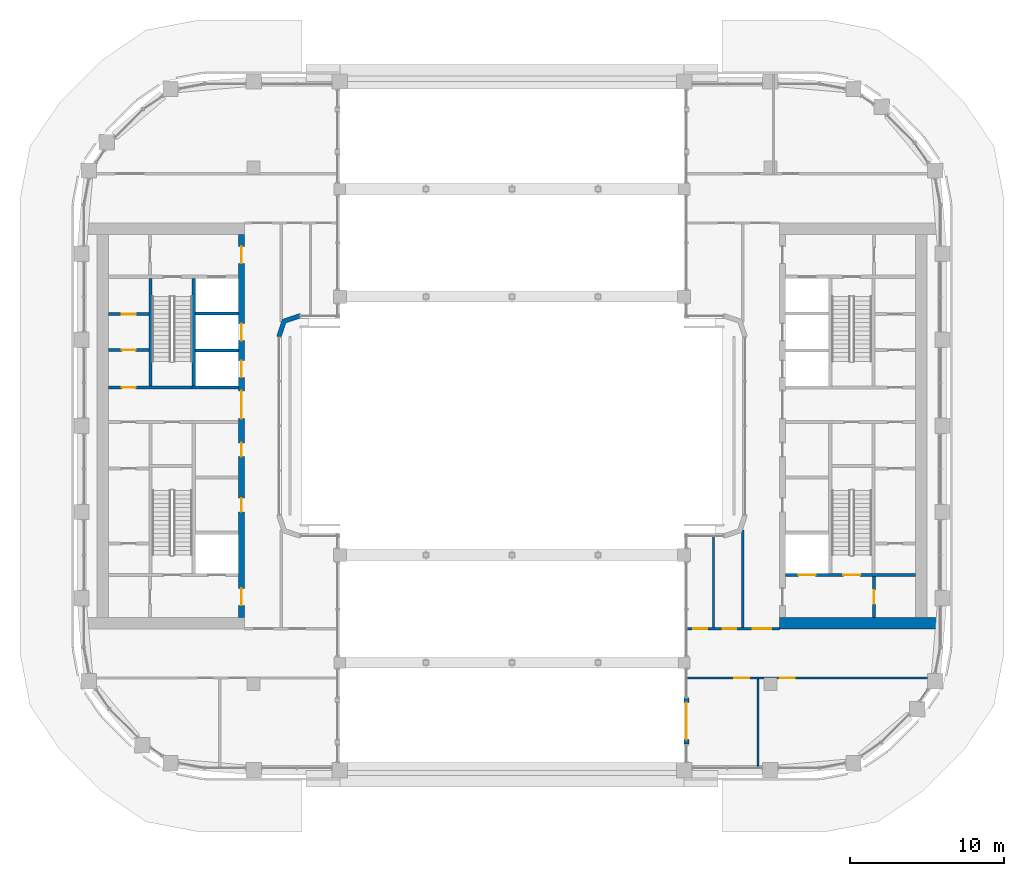
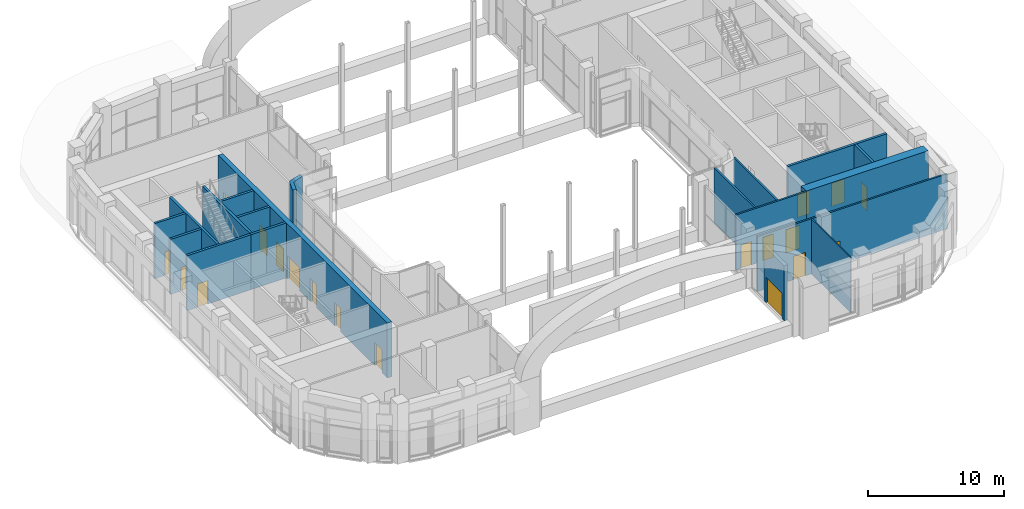
# One storey, part 16 of 28: 19 doors, 19 walls, 19 openings.
"""IFC4 building model written with IfcOpenShell, lengths in metres."""

from ifc_helpers import new_model, si_unit, direction, frame, frame_2d, origin, place, context, subcontext, project, spatial, polyline, rectangle, outline, extrude, material, layer, layer_set, type_object, element, fill, save


model = new_model("IFC4")

# Units and contexts
model_context = context("Model", 3, precision=1e-05, world=origin(), true_north=direction((0.0, 1.0)))
body_context = subcontext(model_context, "Body", "Model", "MODEL_VIEW")
ifc_project = project(units=[si_unit("LENGTHUNIT", "METRE"), si_unit("AREAUNIT", "SQUARE_METRE"), si_unit("VOLUMEUNIT", "CUBIC_METRE"), si_unit("PLANEANGLEUNIT", "RADIAN"), si_unit("MASSUNIT", "GRAM", prefix="KILO")], contexts=[model_context])

# Site, building, storey
site_placement = place(None, origin())
site = spatial("IfcSite", under=ifc_project, at=site_placement, CompositionType="ELEMENT")
building_placement = place(site_placement, origin())
building = spatial("IfcBuilding", under=site, at=building_placement, Name="Kiln Ring Residences", CompositionType="ELEMENT")
storey_placement = place(building_placement, frame((0.0, 0.0, 178.10009765625)))
storey = spatial("IfcBuildingStorey", under=building, at=storey_placement, Name="L46", CompositionType="ELEMENT", Elevation=178.10009765625)

# Wall, opening, door
ifc_material_1 = material(Name="Gypsum board on steel studs", Category="steel")
ifc_layer_1 = layer(ifc_material_1, 0.199951171875)
ifc_layer_set_1 = layer_set([ifc_layer_1], Name="CORE-PARTITION-200")
wall_type_1 = type_object("IfcWallType", Name="CORE-PARTITION-200", PredefinedType="PARTITIONING", material=ifc_layer_set_1)
wall_1_placement = place(storey_placement, frame((-23.60009765625, 4.933349609375, 0.0), z_axis=(0.0, 0.0, 1.0), x_axis=(-1.0, 0.0, 0.0)))
wall_1 = element("IfcWall", 1, at=wall_1_placement, inside=storey, type_object=wall_type_1, Name="Core partition west L46 8", PredefinedType="PARTITIONING", context=body_context, shape_type="SweptSolid", body=[
    extrude(rectangle(XDim=2.64990234375, YDim=0.199951171875, at=frame_2d((1.324951171875, 0.0))), origin(), (0.0, 0.0, 1.0), 4.949951171875),
])
opening_1_placement = place(wall_1_placement, frame((0.875, 0.0, 0.0)))
opening_1 = element("IfcOpeningElement", 2, at=opening_1_placement, cuts=wall_1, Name="Opening L46-CW18", PredefinedType="OPENING", context=body_context, shape_type="SweptSolid", body=[
    extrude(rectangle(XDim=0.89990234375, YDim=2.10009765625, at=frame_2d((0.449951171875, 1.050048828125))), frame((0.0, 0.10986328125, 0.0), z_axis=(0.0, -1.0, 0.0), x_axis=(1.0, 0.0, 0.0)), (0.0, 0.0, 1.0), 0.219970703125),
])
ifc_material_2 = material(Name="Steel door leaf", Category="steel")
door_type_1 = type_object("IfcDoorType", Name="CORE-DOOR-ROOM", OperationType="SINGLE_SWING_LEFT", PredefinedType="DOOR", material=ifc_material_2)
door_1_placement = place(opening_1_placement, origin())
door_1 = element("IfcDoor", 3, at=door_1_placement, inside=storey, type_object=door_type_1, Name="Electrical plant room L46-CW18", OperationType="SINGLE_SWING_LEFT", OverallHeight=2.10009765625, OverallWidth=0.89990234375, PredefinedType="DOOR", context=body_context, shape_type="SweptSolid", body=[
    extrude(rectangle(XDim=0.89990234375, YDim=2.10009765625, at=frame_2d((0.449951171875, 1.050048828125))), frame((0.0, 0.02490234375, 0.0), z_axis=(0.0, -1.0, 0.0), x_axis=(1.0, 0.0, 0.0)), (0.0, 0.0, 1.0), 0.050048828125),
])
fill(opening_1, door_1)

wall_2_placement = place(storey_placement, frame((-23.60009765625, 7.2666015625, 0.0), z_axis=(0.0, 0.0, 1.0), x_axis=(-1.0, 0.0, 0.0)))
wall_2 = element("IfcWall", 4, at=wall_2_placement, inside=storey, type_object=wall_type_1, Name="Core partition west L46 9", PredefinedType="PARTITIONING", context=body_context, shape_type="SweptSolid", body=[
    extrude(rectangle(XDim=2.64990234375, YDim=0.199951171875, at=frame_2d((1.324951171875, 0.0))), origin(), (0.0, 0.0, 1.0), 4.949951171875),
])
opening_2_placement = place(wall_2_placement, frame((0.875, 0.0, 0.0)))
opening_2 = element("IfcOpeningElement", 5, at=opening_2_placement, cuts=wall_2, Name="Opening L46-CW19", PredefinedType="OPENING", context=body_context, shape_type="SweptSolid", body=[
    extrude(rectangle(XDim=0.89990234375, YDim=2.10009765625, at=frame_2d((0.449951171875, 1.050048828125))), frame((0.0, 0.10986328125, 0.0), z_axis=(0.0, -1.0, 0.0), x_axis=(1.0, 0.0, 0.0)), (0.0, 0.0, 1.0), 0.219970703125),
])
door_2_placement = place(opening_2_placement, origin())
door_2 = element("IfcDoor", 6, at=door_2_placement, inside=storey, type_object=door_type_1, Name="Comms room L46-CW19", OperationType="SINGLE_SWING_RIGHT", OverallHeight=2.10009765625, OverallWidth=0.89990234375, PredefinedType="DOOR", context=body_context, shape_type="SweptSolid", body=[
    extrude(rectangle(XDim=0.89990234375, YDim=2.10009765625, at=frame_2d((0.449951171875, 1.050048828125))), frame((0.0, 0.02490234375, 0.0), z_axis=(0.0, -1.0, 0.0), x_axis=(1.0, 0.0, 0.0)), (0.0, 0.0, 1.0), 0.050048828125),
])
fill(opening_2, door_2)

wall_3_placement = place(storey_placement, frame((23.550048828125, -12.449951171875, 0.0), z_axis=(0.0, 0.0, 1.0), x_axis=(0.0, 1.0, 0.0)))
wall_3 = element("IfcWall", 7, at=wall_3_placement, inside=storey, type_object=wall_type_1, Name="Core partition east L46 5", PredefinedType="PARTITIONING", context=body_context, shape_type="SweptSolid", body=[
    extrude(rectangle(XDim=2.64990234375, YDim=0.199951171875, at=frame_2d((1.324951171875, 0.0))), origin(), (0.0, 0.0, 1.0), 4.949951171875),
])
opening_3_placement = place(wall_3_placement, frame((0.875, 0.0, 0.0)))
opening_3 = element("IfcOpeningElement", 8, at=opening_3_placement, cuts=wall_3, Name="Opening L46-CE10", PredefinedType="OPENING", context=body_context, shape_type="SweptSolid", body=[
    extrude(rectangle(XDim=0.89990234375, YDim=2.10009765625, at=frame_2d((0.449951171875, 1.050048828125))), frame((0.0, 0.10986328125, 0.0), z_axis=(0.0, -1.0, 0.0), x_axis=(1.0, 0.0, 0.0)), (0.0, 0.0, 1.0), 0.219970703125),
])
door_3_placement = place(opening_3_placement, origin())
door_3 = element("IfcDoor", 9, at=door_3_placement, inside=storey, type_object=door_type_1, Name="Store L46-CE10", OperationType="SINGLE_SWING_LEFT", OverallHeight=2.10009765625, OverallWidth=0.89990234375, PredefinedType="DOOR", context=body_context, shape_type="SweptSolid", body=[
    extrude(rectangle(XDim=0.89990234375, YDim=2.10009765625, at=frame_2d((0.449951171875, 1.050048828125))), frame((0.0, 0.02490234375, 0.0), z_axis=(0.0, -1.0, 0.0), x_axis=(1.0, 0.0, 0.0)), (0.0, 0.0, 1.0), 0.050048828125),
])
fill(opening_3, door_3)

# Walls
ifc_material_3 = material(Name="Gypsum shaft wall system")
ifc_layer_2 = layer(ifc_material_3, 0.199951171875)
ifc_layer_set_2 = layer_set([ifc_layer_2], Name="CORE-SHAFT-WALL-200")
wall_type_2 = type_object("IfcWallType", Name="CORE-SHAFT-WALL-200", PredefinedType="PARTITIONING", material=ifc_layer_set_2)
wall_4_placement = place(storey_placement, frame((-17.800048828125, 2.5, 0.0), z_axis=(0.0, 0.0, 1.0), x_axis=(-1.0, 0.0, 0.0)))
element("IfcWall", 10, at=wall_4_placement, inside=storey, type_object=wall_type_2, Name="Core partition west L46 12", PredefinedType="PARTITIONING", context=body_context, shape_type="SweptSolid", body=[
    extrude(rectangle(XDim=3.0, YDim=0.199951171875, at=frame_2d((1.5, 0.0))), origin(), (0.0, 0.0, 1.0), 4.949951171875),
])
for number, where, z_axis, x_axis, name in (
    (11, (-17.800048828125, 4.89990234375, 0.0), (0.0, 0.0, 1.0), (-1.0, 0.0, 0.0), "Core partition west L46 13"),
    (12, (-17.800048828125, 7.300048828125, 0.0), (0.0, 0.0, 1.0), (-1.0, 0.0, 0.0), "Core partition west L46 14"),
):
    element("IfcWall", number, at=place(storey_placement, frame(where, z_axis=z_axis, x_axis=x_axis)), inside=storey, type_object=wall_type_2, Name=name, PredefinedType="PARTITIONING", context=body_context, shape_type="SweptSolid", body=[
        extrude(rectangle(XDim=2.800048828125, YDim=0.199951171875, at=frame_2d((1.39990234375, 0.0))), origin(), (0.0, 0.0, 1.0), 4.949951171875),
    ])
ifc_material_4 = material(Name="Concrete C40/50", Category="concrete")
ifc_layer_3 = layer(ifc_material_4, 0.199951171875)
ifc_layer_set_3 = layer_set([ifc_layer_3], Name="CORE-WALL-RC200")
wall_type_3 = type_object("IfcWallType", Name="CORE-WALL-RC200", PredefinedType="SHEAR", material=ifc_layer_set_3)
wall_5_placement = place(storey_placement, frame((-20.699951171875, 2.60009765625, 0.0), z_axis=(0.0, 0.0, 1.0), x_axis=(0.0, 1.0, 0.0)))
element("IfcWall", 13, at=wall_5_placement, inside=storey, type_object=wall_type_3, Name="Core wall west L46 1", PredefinedType="SHEAR", context=body_context, shape_type="SweptSolid", body=[
    extrude(rectangle(XDim=7.0, YDim=0.199951171875, at=frame_2d((3.5, 0.0))), origin(), (0.0, 0.0, 1.0), 4.949951171875),
])

# Wall, opening, door
wall_6_placement = place(storey_placement, frame((-20.800048828125, 2.5, 0.0), z_axis=(0.0, 0.0, 1.0), x_axis=(-1.0, 0.0, 0.0)))
wall_6 = element("IfcWall", 14, at=wall_6_placement, inside=storey, type_object=wall_type_3, Name="Core wall west L46 3", PredefinedType="SHEAR", context=body_context, shape_type="SweptSolid", body=[
    extrude(rectangle(XDim=5.449951171875, YDim=0.199951171875, at=frame_2d((2.72509765625, 0.0))), origin(), (0.0, 0.0, 1.0), 4.949951171875),
])
opening_4_placement = place(wall_6_placement, frame((3.675048828125, 0.0, 0.0)))
opening_4 = element("IfcOpeningElement", 15, at=opening_4_placement, cuts=wall_6, Name="Opening L46-CW20", PredefinedType="OPENING", context=body_context, shape_type="SweptSolid", body=[
    extrude(rectangle(XDim=0.89990234375, YDim=2.10009765625, at=frame_2d((0.449951171875, 1.050048828125))), frame((0.0, 0.10986328125, 0.0), z_axis=(0.0, -1.0, 0.0), x_axis=(1.0, 0.0, 0.0)), (0.0, 0.0, 1.0), 0.219970703125),
])
door_4_placement = place(opening_4_placement, origin())
door_4 = element("IfcDoor", 16, at=door_4_placement, inside=storey, type_object=door_type_1, Name="UPS room L46-CW20", OperationType="SINGLE_SWING_LEFT", OverallHeight=2.10009765625, OverallWidth=0.89990234375, PredefinedType="DOOR", context=body_context, shape_type="SweptSolid", body=[
    extrude(rectangle(XDim=0.89990234375, YDim=2.10009765625, at=frame_2d((0.449951171875, 1.050048828125))), frame((0.0, 0.02490234375, 0.0), z_axis=(0.0, -1.0, 0.0), x_axis=(1.0, 0.0, 0.0)), (0.0, 0.0, 1.0), 0.050048828125),
])
fill(opening_4, door_4)

# Wall
wall_7_placement = place(storey_placement, frame((-23.5, 2.60009765625, 0.0), z_axis=(0.0, 0.0, 1.0), x_axis=(0.0, 1.0, 0.0)))
element("IfcWall", 17, at=wall_7_placement, inside=storey, type_object=wall_type_3, Name="Core wall west L46 10", PredefinedType="SHEAR", context=body_context, shape_type="SweptSolid", body=[
    extrude(rectangle(XDim=7.0, YDim=0.199951171875, at=frame_2d((3.5, 0.0))), origin(), (0.0, 0.0, 1.0), 4.949951171875),
])

# Wall, openings, doors
wall_8_placement = place(storey_placement, frame((17.800048828125, -9.699951171875, 0.0), z_axis=(0.0, 0.0, 1.0), x_axis=(1.0, 0.0, 0.0)))
wall_8 = element("IfcWall", 18, at=wall_8_placement, inside=storey, type_object=wall_type_3, Name="Core wall east L46 8", PredefinedType="SHEAR", context=body_context, shape_type="SweptSolid", body=[
    extrude(rectangle(XDim=8.449951171875, YDim=0.199951171875, at=frame_2d((4.22509765625, 0.0))), origin(), (0.0, 0.0, 1.0), 4.949951171875),
])
opening_5_placement = place(wall_8_placement, frame((0.85009765625, 0.0, 0.0)))
opening_5 = element("IfcOpeningElement", 19, at=opening_5_placement, cuts=wall_8, Name="Opening L46-CE01", PredefinedType="OPENING", context=body_context, shape_type="SweptSolid", body=[
    extrude(rectangle(XDim=1.10009765625, YDim=2.10009765625, at=frame_2d((0.550048828125, 1.050048828125))), frame((0.0, 0.10986328125, 0.0), z_axis=(0.0, -1.0, 0.0), x_axis=(1.0, 0.0, 0.0)), (0.0, 0.0, 1.0), 0.219970703125),
])
opening_6_placement = place(wall_8_placement, frame((3.75, 0.0, 0.0)))
opening_6 = element("IfcOpeningElement", 20, at=opening_6_placement, cuts=wall_8, Name="Opening L46-CE12", PredefinedType="OPENING", context=body_context, shape_type="SweptSolid", body=[
    extrude(rectangle(XDim=1.10009765625, YDim=2.10009765625, at=frame_2d((0.550048828125, 1.050048828125))), frame((0.0, 0.10986328125, 0.0), z_axis=(0.0, -1.0, 0.0), x_axis=(1.0, 0.0, 0.0)), (0.0, 0.0, 1.0), 0.219970703125),
])
ifc_material_5 = material(Name="Steel door leaf", Category="steel")
door_type_2 = type_object("IfcDoorType", Name="CORE-DOOR-LD", OperationType="DOUBLE_DOOR_SLIDING", PredefinedType="DOOR", material=ifc_material_5)
door_5_placement = place(opening_5_placement, origin())
door_5 = element("IfcDoor", 21, at=door_5_placement, inside=storey, type_object=door_type_2, Name="LD E-SV L46-CE01", OperationType="DOUBLE_DOOR_SLIDING", OverallHeight=2.10009765625, OverallWidth=1.10009765625, PredefinedType="DOOR", context=body_context, shape_type="SweptSolid", body=[
    extrude(rectangle(XDim=1.10009765625, YDim=2.10009765625, at=frame_2d((0.550048828125, 1.050048828125))), frame((0.0, 0.02490234375, 0.0), z_axis=(0.0, -1.0, 0.0), x_axis=(1.0, 0.0, 0.0)), (0.0, 0.0, 1.0), 0.050048828125),
])
fill(opening_5, door_5)
ifc_material_6 = material(Name="Steel door leaf", Category="steel")
door_type_3 = type_object("IfcDoorType", Name="CORE-DOOR-STAIR", OperationType="SINGLE_SWING_LEFT", PredefinedType="DOOR", material=ifc_material_6)
door_6_placement = place(opening_6_placement, origin())
door_6 = element("IfcDoor", 22, at=door_6_placement, inside=storey, type_object=door_type_3, Name="Stair E-STS L46-CE12", OperationType="SINGLE_SWING_RIGHT", OverallHeight=2.10009765625, OverallWidth=1.10009765625, PredefinedType="DOOR", context=body_context, shape_type="SweptSolid", body=[
    extrude(rectangle(XDim=1.10009765625, YDim=2.10009765625, at=frame_2d((0.550048828125, 1.050048828125))), frame((0.0, 0.02490234375, 0.0), z_axis=(0.0, -1.0, 0.0), x_axis=(1.0, 0.0, 0.0)), (0.0, 0.0, 1.0), 0.050048828125),
])
fill(opening_6, door_6)

ifc_material_7 = material(Name="Concrete C60/75", Category="concrete")
ifc_layer_4 = layer(ifc_material_7, 0.39990234375)
ifc_layer_set_4 = layer_set([ifc_layer_4], Name="CORE-WALL-RC400")
wall_type_4 = type_object("IfcWallType", Name="CORE-WALL-RC400", PredefinedType="SHEAR", material=ifc_layer_set_4)
wall_9_placement = place(storey_placement, frame((-17.60009765625, -12.449951171875, 0.0), z_axis=(0.0, 0.0, 1.0), x_axis=(0.0, 1.0, 0.0)))
wall_9 = element("IfcWall", 23, at=wall_9_placement, inside=storey, type_object=wall_type_4, Name="Core wall west L46 6", PredefinedType="SHEAR", context=body_context, shape_type="SweptSolid", body=[
    extrude(rectangle(XDim=24.89990234375, YDim=0.39990234375, at=frame_2d((12.449951171875, 0.0))), origin(), (0.0, 0.0, 1.0), 4.949951171875),
])
opening_7_placement = place(wall_9_placement, frame((6.85009765625, 0.0, 0.0)))
opening_7 = element("IfcOpeningElement", 24, at=opening_7_placement, cuts=wall_9, Name="Opening L46-CW02", PredefinedType="OPENING", context=body_context, shape_type="SweptSolid", body=[
    extrude(rectangle(XDim=0.89990234375, YDim=2.10009765625, at=frame_2d((0.449951171875, 1.050048828125))), frame((0.0, 0.2099609375, 0.0), z_axis=(0.0, -1.0, 0.0), x_axis=(1.0, 0.0, 0.0)), (0.0, 0.0, 1.0), 0.419921875),
])
opening_8_placement = place(wall_9_placement, frame((10.449951171875, 0.0, 0.0)))
opening_8 = element("IfcOpeningElement", 25, at=opening_8_placement, cuts=wall_9, Name="Opening L46-CW03", PredefinedType="OPENING", context=body_context, shape_type="SweptSolid", body=[
    extrude(rectangle(XDim=0.89990234375, YDim=2.10009765625, at=frame_2d((0.449951171875, 1.050048828125))), frame((0.0, 0.2099609375, 0.0), z_axis=(0.0, -1.0, 0.0), x_axis=(1.0, 0.0, 0.0)), (0.0, 0.0, 1.0), 0.419921875),
])
opening_9_placement = place(wall_9_placement, frame((15.60009765625, 0.0, 0.0)))
opening_9 = element("IfcOpeningElement", 26, at=opening_9_placement, cuts=wall_9, Name="Opening L46-CW04", PredefinedType="OPENING", context=body_context, shape_type="SweptSolid", body=[
    extrude(rectangle(XDim=1.10009765625, YDim=2.10009765625, at=frame_2d((0.550048828125, 1.050048828125))), frame((0.0, 0.2099609375, 0.0), z_axis=(0.0, -1.0, 0.0), x_axis=(1.0, 0.0, 0.0)), (0.0, 0.0, 1.0), 0.419921875),
])
opening_10_placement = place(wall_9_placement, frame((18.0, 0.0, 0.0)))
opening_10 = element("IfcOpeningElement", 27, at=opening_10_placement, cuts=wall_9, Name="Opening L46-CW05", PredefinedType="OPENING", context=body_context, shape_type="SweptSolid", body=[
    extrude(rectangle(XDim=1.10009765625, YDim=2.10009765625, at=frame_2d((0.550048828125, 1.050048828125))), frame((0.0, 0.2099609375, 0.0), z_axis=(0.0, -1.0, 0.0), x_axis=(1.0, 0.0, 0.0)), (0.0, 0.0, 1.0), 0.419921875),
])
opening_11_placement = place(wall_9_placement, frame((23.02490234375, 0.0, 0.0)))
opening_11 = element("IfcOpeningElement", 28, at=opening_11_placement, cuts=wall_9, Name="Opening L46-CW07", PredefinedType="OPENING", context=body_context, shape_type="SweptSolid", body=[
    extrude(rectangle(XDim=1.10009765625, YDim=2.10009765625, at=frame_2d((0.550048828125, 1.050048828125))), frame((0.0, 0.2099609375, 0.0), z_axis=(0.0, -1.0, 0.0), x_axis=(1.0, 0.0, 0.0)), (0.0, 0.0, 1.0), 0.419921875),
])
opening_12_placement = place(wall_9_placement, frame((0.77490234375, 0.0, 0.0)))
opening_12 = element("IfcOpeningElement", 29, at=opening_12_placement, cuts=wall_9, Name="Opening L46-CW08", PredefinedType="OPENING", context=body_context, shape_type="SweptSolid", body=[
    extrude(rectangle(XDim=1.10009765625, YDim=2.10009765625, at=frame_2d((0.550048828125, 1.050048828125))), frame((0.0, 0.2099609375, 0.0), z_axis=(0.0, -1.0, 0.0), x_axis=(1.0, 0.0, 0.0)), (0.0, 0.0, 1.0), 0.419921875),
])
opening_13_placement = place(wall_9_placement, frame((12.925048828125, 0.0, 0.0)))
opening_13 = element("IfcOpeningElement", 30, at=opening_13_placement, cuts=wall_9, Name="Opening L46-CW13", PredefinedType="OPENING", context=body_context, shape_type="SweptSolid", body=[
    extrude(rectangle(XDim=1.800048828125, YDim=2.10009765625, at=frame_2d((0.89990234375, 1.050048828125))), frame((0.0, 0.2099609375, 0.0), z_axis=(0.0, -1.0, 0.0), x_axis=(1.0, 0.0, 0.0)), (0.0, 0.0, 1.0), 0.419921875),
])
door_7_placement = place(opening_9_placement, origin())
door_7 = element("IfcDoor", 31, at=door_7_placement, inside=storey, type_object=door_type_2, Name="LD W-M1 L46-CW04", OperationType="DOUBLE_DOOR_SLIDING", OverallHeight=2.10009765625, OverallWidth=1.10009765625, PredefinedType="DOOR", context=body_context, shape_type="SweptSolid", body=[
    extrude(rectangle(XDim=1.10009765625, YDim=2.10009765625, at=frame_2d((0.550048828125, 1.050048828125))), frame((0.0, 0.02490234375, 0.0), z_axis=(0.0, -1.0, 0.0), x_axis=(1.0, 0.0, 0.0)), (0.0, 0.0, 1.0), 0.050048828125),
])
fill(opening_9, door_7)
door_8_placement = place(opening_10_placement, origin())
door_8 = element("IfcDoor", 32, at=door_8_placement, inside=storey, type_object=door_type_2, Name="LD W-M2 L46-CW05", OperationType="DOUBLE_DOOR_SLIDING", OverallHeight=2.10009765625, OverallWidth=1.10009765625, PredefinedType="DOOR", context=body_context, shape_type="SweptSolid", body=[
    extrude(rectangle(XDim=1.10009765625, YDim=2.10009765625, at=frame_2d((0.550048828125, 1.050048828125))), frame((0.0, 0.02490234375, 0.0), z_axis=(0.0, -1.0, 0.0), x_axis=(1.0, 0.0, 0.0)), (0.0, 0.0, 1.0), 0.050048828125),
])
fill(opening_10, door_8)
ifc_material_8 = material(Name="Steel door leaf", Category="steel")
door_type_4 = type_object("IfcDoorType", Name="CORE-DOOR-LOBBY", OperationType="SINGLE_SWING_LEFT", PredefinedType="DOOR", material=ifc_material_8)
door_9_placement = place(opening_11_placement, origin())
door_9 = element("IfcDoor", 33, at=door_9_placement, inside=storey, type_object=door_type_4, Name="FFL L46-CW07", OperationType="SINGLE_SWING_RIGHT", OverallHeight=2.10009765625, OverallWidth=1.10009765625, PredefinedType="DOOR", context=body_context, shape_type="SweptSolid", body=[
    extrude(rectangle(XDim=1.10009765625, YDim=2.10009765625, at=frame_2d((0.550048828125, 1.050048828125))), frame((0.0, 0.02490234375, 0.0), z_axis=(0.0, -1.0, 0.0), x_axis=(1.0, 0.0, 0.0)), (0.0, 0.0, 1.0), 0.050048828125),
])
fill(opening_11, door_9)
door_10_placement = place(opening_12_placement, origin())
door_10 = element("IfcDoor", 34, at=door_10_placement, inside=storey, type_object=door_type_4, Name="SVL L46-CW08", OperationType="SINGLE_SWING_LEFT", OverallHeight=2.10009765625, OverallWidth=1.10009765625, PredefinedType="DOOR", context=body_context, shape_type="SweptSolid", body=[
    extrude(rectangle(XDim=1.10009765625, YDim=2.10009765625, at=frame_2d((0.550048828125, 1.050048828125))), frame((0.0, 0.02490234375, 0.0), z_axis=(0.0, -1.0, 0.0), x_axis=(1.0, 0.0, 0.0)), (0.0, 0.0, 1.0), 0.050048828125),
])
fill(opening_12, door_10)
ifc_material_9 = material(Name="Steel door leaf", Category="steel")
door_type_5 = type_object("IfcDoorType", Name="CORE-DOOR-PASS", OperationType="DOUBLE_DOOR_SINGLE_SWING", PredefinedType="DOOR", material=ifc_material_9)
door_11_placement = place(opening_13_placement, origin())
door_11 = element("IfcDoor", 35, at=door_11_placement, inside=storey, type_object=door_type_5, Name="Core passage L46-CW13", OperationType="DOUBLE_DOOR_SINGLE_SWING", OverallHeight=2.10009765625, OverallWidth=1.800048828125, PredefinedType="DOOR", context=body_context, shape_type="SweptSolid", body=[
    extrude(rectangle(XDim=1.800048828125, YDim=2.10009765625, at=frame_2d((0.89990234375, 1.050048828125))), frame((0.0, 0.02490234375, 0.0), z_axis=(0.0, -1.0, 0.0), x_axis=(1.0, 0.0, 0.0)), (0.0, 0.0, 1.0), 0.050048828125),
])
fill(opening_13, door_11)
door_12_placement = place(opening_7_placement, origin())
door_12 = element("IfcDoor", 36, at=door_12_placement, inside=storey, type_object=door_type_1, Name="Housekeeping store L46-CW02", OperationType="SINGLE_SWING_RIGHT", OverallHeight=2.10009765625, OverallWidth=0.89990234375, PredefinedType="DOOR", context=body_context, shape_type="SweptSolid", body=[
    extrude(rectangle(XDim=0.89990234375, YDim=2.10009765625, at=frame_2d((0.449951171875, 1.050048828125))), frame((0.0, 0.02490234375, 0.0), z_axis=(0.0, -1.0, 0.0), x_axis=(1.0, 0.0, 0.0)), (0.0, 0.0, 1.0), 0.050048828125),
])
fill(opening_7, door_12)
door_13_placement = place(opening_8_placement, origin())
door_13 = element("IfcDoor", 37, at=door_13_placement, inside=storey, type_object=door_type_1, Name="Linen store L46-CW03", OperationType="SINGLE_SWING_LEFT", OverallHeight=2.10009765625, OverallWidth=0.89990234375, PredefinedType="DOOR", context=body_context, shape_type="SweptSolid", body=[
    extrude(rectangle(XDim=0.89990234375, YDim=2.10009765625, at=frame_2d((0.449951171875, 1.050048828125))), frame((0.0, 0.02490234375, 0.0), z_axis=(0.0, -1.0, 0.0), x_axis=(1.0, 0.0, 0.0)), (0.0, 0.0, 1.0), 0.050048828125),
])
fill(opening_8, door_13)

# Wall
ifc_material_10 = material(Name="Concrete C60/75", Category="concrete")
ifc_layer_5 = layer(ifc_material_10, 0.75)
ifc_layer_set_5 = layer_set([ifc_layer_5], Name="CORE-WALL-RC750")
wall_type_5 = type_object("IfcWallType", Name="CORE-WALL-RC750", PredefinedType="SHEAR", material=ifc_layer_set_5)
wall_10_placement = place(storey_placement, frame((17.39990234375, -12.824951171875, 0.0), z_axis=(0.0, 0.0, 1.0), x_axis=(1.0, 0.0, 0.0)))
element("IfcWall", 38, at=wall_10_placement, inside=storey, type_object=wall_type_5, Name="Core wall east L46 5", PredefinedType="SHEAR", context=body_context, shape_type="SweptSolid", body=[
    extrude(rectangle(XDim=10.400146484375, YDim=0.75, at=frame_2d((5.2001953125, 0.0))), origin(), (0.0, 0.0, 1.0), 4.949951171875),
])

# Wall, opening, door
ifc_material_11 = material(Name="Brick masonry, dark clay brick", Category="masonry")
ifc_layer_6 = layer(ifc_material_11, 0.300048828125)
ifc_layer_set_6 = layer_set([ifc_layer_6], Name="EW-300 BRICK WALL")
wall_type_6 = type_object("IfcWallType", Name="EW-300 BRICK WALL", PredefinedType="SOLIDWALL", material=ifc_layer_set_6)
wall_11_placement = place(storey_placement, frame((11.35009765625, -17.699951171875, 0.0), z_axis=(0.0, 0.0, 1.0), x_axis=(0.0, -1.0, 0.0)))
wall_11 = element("IfcWall", 39, at=wall_11_placement, inside=storey, type_object=wall_type_6, Name="Facade wall L46 3", PredefinedType="SOLIDWALL", context=body_context, shape_type="SweptSolid", body=[
    extrude(rectangle(XDim=3.0, YDim=0.300048828125, at=frame_2d((1.5, 0.0))), origin(), (0.0, 0.0, 1.0), 4.949951171875),
])
opening_14_placement = place(wall_11_placement, frame((0.300048828125, 0.0, 0.0)))
opening_14 = element("IfcOpeningElement", 40, at=opening_14_placement, cuts=wall_11, Name="Opening EL46-3", PredefinedType="OPENING", context=body_context, shape_type="SweptSolid", body=[
    extrude(rectangle(XDim=2.39990234375, YDim=2.300048828125, at=frame_2d((1.199951171875, 1.14990234375))), frame((0.0, 0.159912109375, 0.0), z_axis=(0.0, -1.0, 0.0), x_axis=(1.0, 0.0, 0.0)), (0.0, 0.0, 1.0), 0.320068359375),
])
ifc_material_12 = material(Name="Aluminium and glass", Category="aluminium")
door_type_6 = type_object("IfcDoorType", Name="TERRACE DOOR 2400 x 2300", OperationType="DOUBLE_DOOR_SINGLE_SWING", PredefinedType="DOOR", material=ifc_material_12)
door_14_placement = place(opening_14_placement, origin())
door_14 = element("IfcDoor", 41, at=door_14_placement, inside=storey, type_object=door_type_6, Name="Terrace door EL46-3", OperationType="SINGLE_SWING_LEFT", OverallHeight=2.300048828125, OverallWidth=2.39990234375, PredefinedType="DOOR", context=body_context, shape_type="SweptSolid", body=[
    extrude(rectangle(XDim=2.39990234375, YDim=2.300048828125, at=frame_2d((1.199951171875, 1.14990234375))), frame((0.0, 0.02490234375, 0.0), z_axis=(0.0, -1.0, 0.0), x_axis=(1.0, 0.0, 0.0)), (0.0, 0.0, 1.0), 0.050048828125),
])
fill(opening_14, door_14)

# Walls
wall_12_placement = place(storey_placement, origin())
element("IfcWall", 42, at=wall_12_placement, inside=storey, type_object=wall_type_6, Name="Corner wall L46 1", PredefinedType="SOLIDWALL", context=body_context, shape_type="SweptSolid", body=[
    extrude(outline(polyline([(-15.0, 5.800048828125), (-14.699951171875, 6.699951171875), (-13.800048828125, 7.0), (-13.800048828125, 7.300048828125), (-13.8486328125, 7.300048828125), (-14.937255859375, 6.937255859375), (-15.300048828125, 5.8486328125), (-15.300048828125, 5.800048828125), (-15.0, 5.800048828125)])), origin(), (0.0, 0.0, 1.0), 4.949951171875),
])
ifc_material_13 = material(Name="Gypsum board on steel studs", Category="steel")
ifc_layer_7 = layer(ifc_material_13, 0.10009765625)
ifc_layer_set_7 = layer_set([ifc_layer_7], Name="PARTITION-100")
wall_type_7 = type_object("IfcWallType", Name="PARTITION-100", PredefinedType="PARTITIONING", material=ifc_layer_set_7)
wall_13_placement = place(storey_placement, frame((16.0, -22.216064453125, 0.0), z_axis=(0.0, 0.0, 1.0), x_axis=(0.0, 1.0, 0.0)))
element("IfcWall", 43, at=wall_13_placement, inside=storey, type_object=wall_type_7, Name="Partition 015", PredefinedType="PARTITIONING", context=body_context, shape_type="SweptSolid", body=[
    extrude(rectangle(XDim=5.740966796875, YDim=0.10009765625, at=frame_2d((2.87060546875, 0.0))), origin(), (0.0, 0.0, 1.0), 4.949951171875),
])

# Wall, openings, doors
ifc_material_14 = material(Name="Brick masonry partition", Category="masonry")
ifc_layer_8 = layer(ifc_material_14, 0.14990234375)
ifc_layer_set_8 = layer_set([ifc_layer_8], Name="PARTITION-150-ei60")
wall_type_8 = type_object("IfcWallType", Name="PARTITION-150-ei60", PredefinedType="PARTITIONING", material=ifc_layer_set_8)
wall_14_placement = place(storey_placement, frame((11.384033203125, -16.39990234375, 0.0), z_axis=(0.0, 0.0, 1.0), x_axis=(1.0, 0.0, 0.0)))
wall_14 = element("IfcWall", 44, at=wall_14_placement, inside=storey, type_object=wall_type_8, Name="Partition 001", PredefinedType="PARTITIONING", context=body_context, shape_type="SweptSolid", body=[
    extrude(rectangle(XDim=16.135986328125, YDim=0.14990234375, at=frame_2d((8.06787109375, 0.0))), origin(), (0.0, 0.0, 1.0), 4.949951171875),
])
opening_15_placement = place(wall_14_placement, frame((3.055908203125, 0.0, 0.0)))
opening_15 = element("IfcOpeningElement", 45, at=opening_15_placement, cuts=wall_14, Name="Opening L46-D016", PredefinedType="OPENING", context=body_context, shape_type="SweptSolid", body=[
    extrude(rectangle(XDim=1.0, YDim=2.10009765625, at=frame_2d((0.5, 1.050048828125))), frame((0.0, 0.0849609375, 0.0), z_axis=(0.0, -1.0, 0.0), x_axis=(1.0, 0.0, 0.0)), (0.0, 0.0, 1.0), 0.169921875),
])
opening_16_placement = place(wall_14_placement, frame((6.01611328125, 0.0, 0.0)))
opening_16 = element("IfcOpeningElement", 46, at=opening_16_placement, cuts=wall_14, Name="Opening L46-D017", PredefinedType="OPENING", context=body_context, shape_type="SweptSolid", body=[
    extrude(rectangle(XDim=1.0, YDim=2.10009765625, at=frame_2d((0.5, 1.050048828125))), frame((0.0, 0.0849609375, 0.0), z_axis=(0.0, -1.0, 0.0), x_axis=(1.0, 0.0, 0.0)), (0.0, 0.0, 1.0), 0.169921875),
])
ifc_material_15 = material(Name="Steel faced fire door leaf", Category="steel")
door_type_7 = type_object("IfcDoorType", Name="FLAT-DOOR-1000-FR", OperationType="SINGLE_SWING_LEFT", PredefinedType="DOOR", material=ifc_material_15)
door_15_placement = place(opening_15_placement, origin())
door_15 = element("IfcDoor", 47, at=door_15_placement, inside=storey, type_object=door_type_7, Name="Door L46-D016", OperationType="SINGLE_SWING_RIGHT", OverallHeight=2.10009765625, OverallWidth=1.0, PredefinedType="DOOR", context=body_context, shape_type="SweptSolid", body=[
    extrude(rectangle(XDim=1.0, YDim=2.10009765625, at=frame_2d((0.5, 1.050048828125))), frame((0.0, 0.02490234375, 0.0), z_axis=(0.0, -1.0, 0.0), x_axis=(1.0, 0.0, 0.0)), (0.0, 0.0, 1.0), 0.050048828125),
])
fill(opening_15, door_15)
door_16_placement = place(opening_16_placement, origin())
door_16 = element("IfcDoor", 48, at=door_16_placement, inside=storey, type_object=door_type_7, Name="Door L46-D017", OperationType="SINGLE_SWING_LEFT", OverallHeight=2.10009765625, OverallWidth=1.0, PredefinedType="DOOR", context=body_context, shape_type="SweptSolid", body=[
    extrude(rectangle(XDim=1.0, YDim=2.10009765625, at=frame_2d((0.5, 1.050048828125))), frame((0.0, 0.02490234375, 0.0), z_axis=(0.0, -1.0, 0.0), x_axis=(1.0, 0.0, 0.0)), (0.0, 0.0, 1.0), 0.050048828125),
])
fill(opening_16, door_16)

wall_15_placement = place(storey_placement, frame((11.384033203125, -13.199951171875, 0.0), z_axis=(0.0, 0.0, 1.0), x_axis=(1.0, 0.0, 0.0)))
wall_15 = element("IfcWall", 49, at=wall_15_placement, inside=storey, type_object=wall_type_8, Name="Partition 003", PredefinedType="PARTITIONING", context=body_context, shape_type="SweptSolid", body=[
    extrude(rectangle(XDim=6.015869140625, YDim=0.14990234375, at=frame_2d((3.0078125, 0.0))), origin(), (0.0, 0.0, 1.0), 4.949951171875),
])
opening_17_placement = place(wall_15_placement, frame((4.26611328125, 0.0, 0.0)))
opening_17 = element("IfcOpeningElement", 50, at=opening_17_placement, cuts=wall_15, Name="Opening L46-D013", PredefinedType="OPENING", context=body_context, shape_type="SweptSolid", body=[
    extrude(rectangle(XDim=1.199951171875, YDim=2.10009765625, at=frame_2d((0.60009765625, 1.050048828125))), frame((0.0, 0.0849609375, 0.0), z_axis=(0.0, -1.0, 0.0), x_axis=(1.0, 0.0, 0.0)), (0.0, 0.0, 1.0), 0.169921875),
])
opening_18_placement = place(wall_15_placement, frame((0.416015625, 0.0, 0.0)))
opening_18 = element("IfcOpeningElement", 51, at=opening_18_placement, cuts=wall_15, Name="Opening L46-D014", PredefinedType="OPENING", context=body_context, shape_type="SweptSolid", body=[
    extrude(rectangle(XDim=0.89990234375, YDim=2.10009765625, at=frame_2d((0.449951171875, 1.050048828125))), frame((0.0, 0.0849609375, 0.0), z_axis=(0.0, -1.0, 0.0), x_axis=(1.0, 0.0, 0.0)), (0.0, 0.0, 1.0), 0.169921875),
])
opening_19_placement = place(wall_15_placement, frame((2.31591796875, 0.0, 0.0)))
opening_19 = element("IfcOpeningElement", 52, at=opening_19_placement, cuts=wall_15, Name="Opening L46-D015", PredefinedType="OPENING", context=body_context, shape_type="SweptSolid", body=[
    extrude(rectangle(XDim=0.89990234375, YDim=2.10009765625, at=frame_2d((0.449951171875, 1.050048828125))), frame((0.0, 0.0849609375, 0.0), z_axis=(0.0, -1.0, 0.0), x_axis=(1.0, 0.0, 0.0)), (0.0, 0.0, 1.0), 0.169921875),
])
ifc_material_16 = material(Name="Steel faced fire door leaf", Category="steel")
door_type_8 = type_object("IfcDoorType", Name="FLAT-DOOR-1200-FR", OperationType="SINGLE_SWING_LEFT", PredefinedType="DOOR", material=ifc_material_16)
door_17_placement = place(opening_17_placement, origin())
door_17 = element("IfcDoor", 53, at=door_17_placement, inside=storey, type_object=door_type_8, Name="Door L46-D013", OperationType="SINGLE_SWING_RIGHT", OverallHeight=2.10009765625, OverallWidth=1.199951171875, PredefinedType="DOOR", context=body_context, shape_type="SweptSolid", body=[
    extrude(rectangle(XDim=1.199951171875, YDim=2.10009765625, at=frame_2d((0.60009765625, 1.050048828125))), frame((0.0, 0.02490234375, 0.0), z_axis=(0.0, -1.0, 0.0), x_axis=(1.0, 0.0, 0.0)), (0.0, 0.0, 1.0), 0.050048828125),
])
fill(opening_17, door_17)
ifc_material_17 = material(Name="Steel faced fire door leaf", Category="steel")
door_type_9 = type_object("IfcDoorType", Name="FLAT-DOOR-900-FR", OperationType="SINGLE_SWING_LEFT", PredefinedType="DOOR", material=ifc_material_17)
door_18_placement = place(opening_18_placement, origin())
door_18 = element("IfcDoor", 54, at=door_18_placement, inside=storey, type_object=door_type_9, Name="Door L46-D014", OperationType="SINGLE_SWING_RIGHT", OverallHeight=2.10009765625, OverallWidth=0.89990234375, PredefinedType="DOOR", context=body_context, shape_type="SweptSolid", body=[
    extrude(rectangle(XDim=0.89990234375, YDim=2.10009765625, at=frame_2d((0.449951171875, 1.050048828125))), frame((0.0, 0.02490234375, 0.0), z_axis=(0.0, -1.0, 0.0), x_axis=(1.0, 0.0, 0.0)), (0.0, 0.0, 1.0), 0.050048828125),
])
fill(opening_18, door_18)
door_19_placement = place(opening_19_placement, origin())
door_19 = element("IfcDoor", 55, at=door_19_placement, inside=storey, type_object=door_type_9, Name="Door L46-D015", OperationType="SINGLE_SWING_LEFT", OverallHeight=2.10009765625, OverallWidth=0.89990234375, PredefinedType="DOOR", context=body_context, shape_type="SweptSolid", body=[
    extrude(rectangle(XDim=0.89990234375, YDim=2.10009765625, at=frame_2d((0.449951171875, 1.050048828125))), frame((0.0, 0.02490234375, 0.0), z_axis=(0.0, -1.0, 0.0), x_axis=(1.0, 0.0, 0.0)), (0.0, 0.0, 1.0), 0.050048828125),
])
fill(opening_19, door_19)

# Walls
wall_16_placement = place(storey_placement, frame((13.10009765625, -13.125, 0.0), z_axis=(0.0, 0.0, 1.0), x_axis=(0.0, 1.0, 0.0)))
element("IfcWall", 56, at=wall_16_placement, inside=storey, type_object=wall_type_8, Name="Partition 012", PredefinedType="PARTITIONING", context=body_context, shape_type="SweptSolid", body=[
    extrude(rectangle(XDim=5.94091796875, YDim=0.14990234375, at=frame_2d((2.970458984375, 0.0))), origin(), (0.0, 0.0, 1.0), 4.949951171875),
])
wall_17_placement = place(storey_placement, frame((15.0, -13.125, 0.0), z_axis=(0.0, 0.0, 1.0), x_axis=(0.0, 1.0, 0.0)))
element("IfcWall", 57, at=wall_17_placement, inside=storey, type_object=wall_type_8, Name="Partition 013", PredefinedType="PARTITIONING", context=body_context, shape_type="SweptSolid", body=[
    extrude(rectangle(XDim=6.356201171875, YDim=0.14990234375, at=frame_2d((3.17822265625, 0.0))), origin(), (0.0, 0.0, 1.0), 4.949951171875),
])

save(model, "model.ifc")
